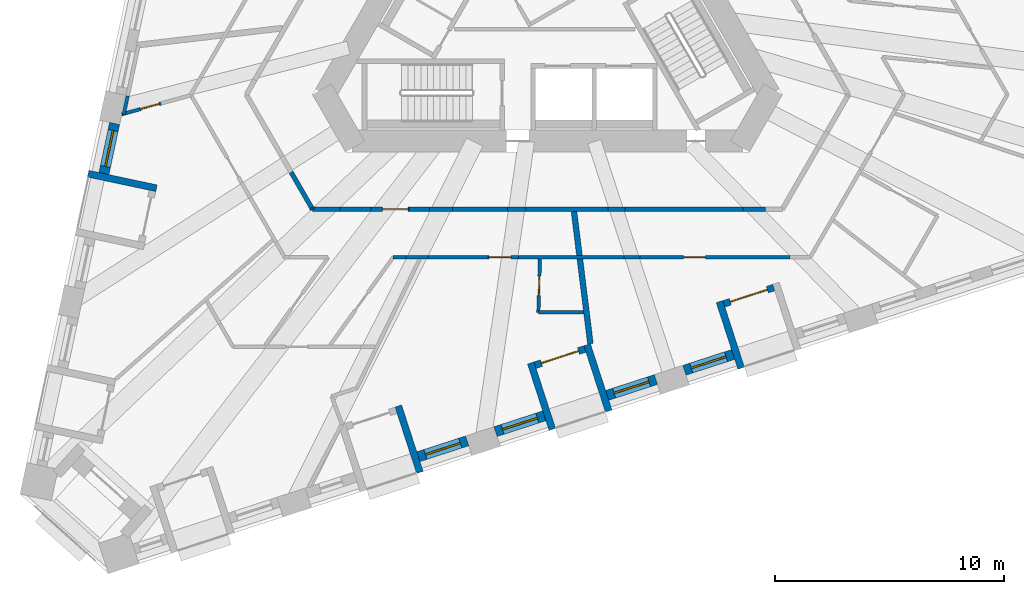
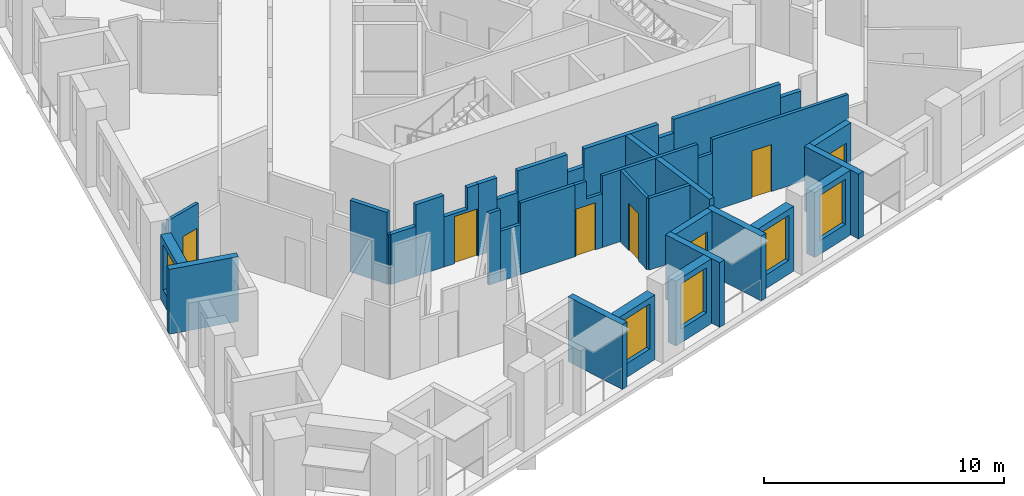
# One storey, part 3 of 13: 37 walls, 7 doors, 5 windows, 12 openings.
"""IFC4 building model written with IfcOpenShell, lengths in metres."""

import ifcopenshell
import ifcopenshell.guid

model = None  # the IFC model being written
_history = None  # IfcOwnerHistory: only IFC2X3 demands one
_inside = {}  # id of a spatial element -> (the spatial element, [elements in it])
_under = {}  # id of a project, library or spatial element -> (it, [spatial elements below it])
_declared = {}  # id of a project -> (the project, [libraries it declares])
_typed = {}  # id of a type object -> (the type object, [elements of that type])
_made_of = {}  # id of a material, layer set ... -> (it, [elements and type objects made of it])


def new_model(schema):
    """Start an empty IFC model of exactly this schema.

    Asked for "IFC4X3", IfcOpenShell would pick the latest addendum, in which some entities
    have other attributes; the version numbers below select the first issue.
    IFC2X3 requires an IfcOwnerHistory on every rooted entity: one is made here for all.
    """
    global model, _history
    if schema == "IFC4X3":
        model = ifcopenshell.file(schema_version=(4, 3, 0, 0))
    else:
        model = ifcopenshell.file(schema=schema)
    _inside.clear()
    _under.clear()
    _declared.clear()
    _typed.clear()
    _made_of.clear()
    _history = None
    if model.schema == "IFC2X3":
        org = make("IfcOrganization", Name="unknown")
        user = make(
            "IfcPersonAndOrganization",
            ThePerson=make("IfcPerson", FamilyName="unknown"),
            TheOrganization=org,
        )
        app = make(
            "IfcApplication",
            ApplicationDeveloper=org,
            Version="unknown",
            ApplicationFullName="unknown",
            ApplicationIdentifier="unknown",
        )
        _history = make(
            "IfcOwnerHistory",
            OwningUser=user,
            OwningApplication=app,
            ChangeAction="ADDED",
            CreationDate=0,
        )
    return model


def make(cls, **values):
    """One entity of the class cls with the attributes given. An attribute that is None is left unset."""
    return model.create_entity(
        cls, **{name: value for name, value in values.items() if value is not None}
    )


def rooted(cls, **values):
    """An entity with a GlobalId (a new one), such as an element, a storey or a relation."""
    return make(cls, GlobalId=ifcopenshell.guid.new(), OwnerHistory=_history, **values)


def si_unit(unit_type, name, prefix=None):
    """IfcSIUnit, for example si_unit("LENGTHUNIT", "METRE", prefix="MILLI")."""
    return make("IfcSIUnit", UnitType=unit_type, Prefix=prefix, Name=name)


def assignment(units):
    """IfcUnitAssignment: the units of a project."""
    return None if units is None else make("IfcUnitAssignment", Units=units)


def point(xyz):
    """IfcCartesianPoint."""
    return None if xyz is None else make("IfcCartesianPoint", Coordinates=xyz)


def direction(xyz):
    """IfcDirection."""
    return None if xyz is None else make("IfcDirection", DirectionRatios=xyz)


def frame(location, z_axis=None, x_axis=None):
    """IfcAxis2Placement3D, a coordinate frame: its origin and axes. An axis left out is left unset."""
    return make(
        "IfcAxis2Placement3D",
        Location=point(location),
        Axis=direction(z_axis),
        RefDirection=direction(x_axis),
    )


def frame_2d(location, x_axis=None):
    """IfcAxis2Placement2D, a coordinate frame in the plane: its origin and x axis."""
    return make(
        "IfcAxis2Placement2D", Location=point(location), RefDirection=direction(x_axis)
    )


def origin():
    """The frame at (0, 0, 0) with its axes left unset."""
    return frame((0.0, 0.0, 0.0))


def place(relative_to, where):
    """IfcLocalPlacement: puts the frame where relative to a parent placement (None: the world)."""
    return make(
        "IfcLocalPlacement", PlacementRelTo=relative_to, RelativePlacement=where
    )


def context(
    kind, dimensions, precision=None, world=None, true_north=None, identifier=None
):
    """IfcGeometricRepresentationContext, for example the 3D "Model" context."""
    return make(
        "IfcGeometricRepresentationContext",
        ContextIdentifier=identifier,
        ContextType=kind,
        CoordinateSpaceDimension=dimensions,
        Precision=precision,
        WorldCoordinateSystem=world,
        TrueNorth=true_north,
    )


def subcontext(parent, identifier, kind, view, scale=None):
    """IfcGeometricRepresentationSubContext, for example "Body" below "Model"."""
    return make(
        "IfcGeometricRepresentationSubContext",
        ContextIdentifier=identifier,
        ContextType=kind,
        ParentContext=parent,
        TargetScale=scale,
        TargetView=view,
    )


def project(units=None, contexts=None):
    """IfcProject with its units and contexts."""
    return rooted(
        "IfcProject",
        Name="project",
        RepresentationContexts=contexts,
        UnitsInContext=assignment(units),
    )


def spatial(cls, under=None, at=None, **own):
    """A site, building, storey or space (cls), placed at a placement, below another one or the project."""
    s = rooted(cls, ObjectPlacement=at, **own)
    if under is not None:
        _under.setdefault(under.id(), (under, []))[1].append(s)
    return s


def polyline(points):
    """IfcPolyline through the points."""
    return make("IfcPolyline", Points=[point(p) for p in points])


def profile(cls, at=None, kind="AREA", **sizes):
    """A parametric profile (cls). Its sizes go by their IFC names, for example OverallWidth=200.0."""
    return make(cls, ProfileType=kind, Position=at, **sizes)


def rectangle(**sizes):
    """IfcRectangleProfileDef."""
    return profile("IfcRectangleProfileDef", **sizes)


def outline(outer, holes=None, kind="AREA"):
    """IfcArbitraryClosedProfileDef: a profile drawn as a closed curve; with holes, ...WithVoids."""
    if holes is None:
        return make("IfcArbitraryClosedProfileDef", ProfileType=kind, OuterCurve=outer)
    return make(
        "IfcArbitraryProfileDefWithVoids",
        ProfileType=kind,
        OuterCurve=outer,
        InnerCurves=holes,
    )


def extrude(swept, where, along, depth):
    """IfcExtrudedAreaSolid: the profile swept, set in the frame where, extruded along a direction by depth."""
    return make(
        "IfcExtrudedAreaSolid",
        SweptArea=swept,
        Position=where,
        ExtrudedDirection=direction(along),
        Depth=depth,
    )


def shape(context_of_items, identifier, shape_type, items):
    """IfcShapeRepresentation: the items that make up one representation, for example the "Body"."""
    return make(
        "IfcShapeRepresentation",
        ContextOfItems=context_of_items,
        RepresentationIdentifier=identifier,
        RepresentationType=shape_type,
        Items=items,
    )


def material(Name=None, Category=None):
    """IfcMaterial."""
    return make("IfcMaterial", Name=Name, Category=Category)


def layer(
    of_material, thickness, ventilated=None, Name=None, Category=None, Priority=None
):
    """IfcMaterialLayer: one layer of a wall or slab, of a material (None: an air gap)."""
    return make(
        "IfcMaterialLayer",
        Material=of_material,
        LayerThickness=thickness,
        IsVentilated=ventilated,
        Name=Name,
        Category=Category,
        Priority=Priority,
    )


def layer_set(layers, Name=None):
    """IfcMaterialLayerSet."""
    return make("IfcMaterialLayerSet", MaterialLayers=layers, LayerSetName=Name)


def made_of(thing, what):
    """Note that an element or type object is made of a material, layer set ...; save() writes the relation."""
    if what is not None:
        _made_of.setdefault(what.id(), (what, []))[1].append(thing)
    return thing


def type_object(cls, material=None, **own):
    """A type object (cls), such as IfcWallType, which elements share."""
    return made_of(rooted(cls, **own), material)


def element(
    cls,
    number,
    at=None,
    inside=None,
    cuts=None,
    type_object=None,
    material=None,
    context=None,
    identifier="Body",
    shape_type=None,
    held_by="IfcProductDefinitionShape",
    body=None,
    shapes=None,
    **own,
):
    """One element of the class cls, such as IfcWall. Its Tag is "e" and its number.

    at: its placement. inside: the storey or other place that contains it. cuts: it is an
    opening in that element (IfcRelVoidsElement). A single representation is given by context,
    identifier, shape_type and body (its items); several are given by shapes. held_by: the class
    of the entity that holds the representations. save() writes the other relations.
    """
    e = rooted(cls, Tag="e%d" % number, ObjectPlacement=at, **own)
    if body is not None:
        shapes = [shape(context, identifier, shape_type, body)]
    if shapes is not None:
        e.Representation = make(held_by, Representations=shapes)
    if inside is not None:
        _inside.setdefault(inside.id(), (inside, []))[1].append(e)
    if cuts is not None:
        rooted(
            "IfcRelVoidsElement", RelatingBuildingElement=cuts, RelatedOpeningElement=e
        )
    if type_object is not None:
        _typed.setdefault(type_object.id(), (type_object, []))[1].append(e)
    return made_of(e, material)


def fill(opening, filler):
    """IfcRelFillsElement: the door or window that sits in an opening."""
    return rooted(
        "IfcRelFillsElement",
        RelatingOpeningElement=opening,
        RelatedBuildingElement=filler,
    )


def aggregate(whole, parts):
    """IfcRelAggregates: a whole, such as a stair, and the parts it consists of."""
    return rooted("IfcRelAggregates", RelatingObject=whole, RelatedObjects=parts)


def save(model, path):
    """Write the relations noted so far, then the file.

    IfcRelAggregates (storeys below a building ...), IfcRelContainedInSpatialStructure (elements
    in a storey), IfcRelDefinesByType, IfcRelAssociatesMaterial and IfcRelDeclares: one each for
    every whole, place, type object, material and project.
    """
    for whole, parts in _under.values():
        aggregate(whole, parts)
    for where, things in _inside.values():
        rooted(
            "IfcRelContainedInSpatialStructure",
            RelatedElements=things,
            RelatingStructure=where,
        )
    for kind, things in _typed.values():
        rooted("IfcRelDefinesByType", RelatedObjects=things, RelatingType=kind)
    for what, things in _made_of.values():
        rooted("IfcRelAssociatesMaterial", RelatedObjects=things, RelatingMaterial=what)
    for by, libraries in _declared.values():
        rooted("IfcRelDeclares", RelatingContext=by, RelatedDefinitions=libraries)
    model.write(path)


model = new_model("IFC4")

# Units and contexts
model_context = context("Model", 3, precision=1e-05, world=origin(), true_north=direction((0.0, 1.0)))
body_context = subcontext(model_context, "Body", "Model", "MODEL_VIEW")
ifc_project = project(units=[si_unit("LENGTHUNIT", "METRE"), si_unit("AREAUNIT", "SQUARE_METRE"), si_unit("VOLUMEUNIT", "CUBIC_METRE"), si_unit("PLANEANGLEUNIT", "RADIAN"), si_unit("MASSUNIT", "GRAM", prefix="KILO")], contexts=[model_context])

# Site, building, storey
site_placement = place(None, origin())
site = spatial("IfcSite", under=ifc_project, at=site_placement, CompositionType="ELEMENT")
building_placement = place(site_placement, origin())
building = spatial("IfcBuilding", under=site, at=building_placement, Name="Tramontana Tower", CompositionType="ELEMENT")
storey_placement = place(building_placement, frame((0.0, 0.0, 100.39990234375)))
storey = spatial("IfcBuildingStorey", under=building, at=storey_placement, Name="L22", CompositionType="ELEMENT", Elevation=100.39990234375)

# Walls
ifc_material_1 = material(Name="Blockwork", Category="masonry")
ifc_layer_1 = layer(ifc_material_1, 0.199951171875)
ifc_layer_set_1 = layer_set([ifc_layer_1], Name="ENTRY WALL 200")
wall_type_1 = type_object("IfcWallType", Name="ENTRY WALL 200", PredefinedType="SOLIDWALL", material=ifc_layer_set_1)
wall_1_placement = place(storey_placement, frame((9.50439453125, -9.25, 0.0), z_axis=(0.0, 0.0, 1.0), x_axis=(-1.0, 0.0, 0.0)))
element("IfcWall", 1, at=wall_1_placement, inside=storey, type_object=wall_type_1, Name="Wall v21-ew2-1", PredefinedType="SOLIDWALL", context=body_context, shape_type="SweptSolid", body=[
    extrude(rectangle(XDim=0.9775390625, YDim=0.199951171875, at=frame_2d((0.48876953125, 0.0))), origin(), (0.0, 0.0, 1.0), 2.9501953125),
])
wall_2_placement = place(storey_placement, frame((8.52685546875, -9.25, 0.0), z_axis=(0.0, 0.0, 1.0), x_axis=(-1.0, 0.0, 0.0)))
element("IfcWall", 2, at=wall_2_placement, inside=storey, type_object=wall_type_1, Name="Wall v21-ew2-2", PredefinedType="SOLIDWALL", context=body_context, shape_type="SweptSolid", body=[
    extrude(rectangle(XDim=5.1533203125, YDim=0.199951171875, at=frame_2d((2.57666015625, 0.0))), origin(), (0.0, 0.0, 1.0), 3.650146484375),
])
wall_3_placement = place(storey_placement, frame((3.37353515625, -9.25, 0.0), z_axis=(0.0, 0.0, 1.0), x_axis=(-1.0, 0.0, 0.0)))
element("IfcWall", 3, at=wall_3_placement, inside=storey, type_object=wall_type_1, Name="Wall v21-ew2-3", PredefinedType="SOLIDWALL", context=body_context, shape_type="SweptSolid", body=[
    extrude(rectangle(XDim=0.736083984375, YDim=0.199951171875, at=frame_2d((0.3681640625, 0.0))), origin(), (0.0, 0.0, 1.0), 2.9501953125),
])
wall_4_placement = place(storey_placement, frame((2.637451171875, -9.25, 0.0), z_axis=(0.0, 0.0, 1.0), x_axis=(-1.0, 0.0, 0.0)))
element("IfcWall", 4, at=wall_4_placement, inside=storey, type_object=wall_type_1, Name="Wall v21-ew2-4", PredefinedType="SOLIDWALL", context=body_context, shape_type="SweptSolid", body=[
    extrude(rectangle(XDim=3.576904296875, YDim=0.199951171875, at=frame_2d((1.78857421875, 0.0))), origin(), (0.0, 0.0, 1.0), 3.650146484375),
])
wall_5_placement = place(storey_placement, frame((-0.939453125, -9.25, 0.0), z_axis=(0.0, 0.0, 1.0), x_axis=(-1.0, 0.0, 0.0)))
element("IfcWall", 5, at=wall_5_placement, inside=storey, type_object=wall_type_1, Name="Wall v21-ew2-5", PredefinedType="SOLIDWALL", context=body_context, shape_type="SweptSolid", body=[
    extrude(rectangle(XDim=0.808349609375, YDim=0.199951171875, at=frame_2d((0.404296875, 0.0))), origin(), (0.0, 0.0, 1.0), 2.75),
])
wall_6_placement = place(storey_placement, frame((-1.747802734375, -9.25, 0.0), z_axis=(0.0, 0.0, 1.0), x_axis=(-1.0, 0.0, 0.0)))
element("IfcWall", 6, at=wall_6_placement, inside=storey, type_object=wall_type_1, Name="Wall v21-ew2-6", PredefinedType="SOLIDWALL", context=body_context, shape_type="SweptSolid", body=[
    extrude(rectangle(XDim=2.385498046875, YDim=0.199951171875, at=frame_2d((1.19287109375, 0.0))), origin(), (0.0, 0.0, 1.0), 3.650146484375),
])
wall_7_placement = place(storey_placement, frame((-4.13330078125, -9.25, 0.0), z_axis=(0.0, 0.0, 1.0), x_axis=(-1.0, 0.0, 0.0)))
element("IfcWall", 7, at=wall_7_placement, inside=storey, type_object=wall_type_1, Name="Wall v21-ew2-7", PredefinedType="SOLIDWALL", context=body_context, shape_type="SweptSolid", body=[
    extrude(rectangle(XDim=1.0068359375, YDim=0.199951171875, at=frame_2d((0.50341796875, 0.0))), origin(), (0.0, 0.0, 1.0), 2.550048828125),
])
wall_8_placement = place(storey_placement, frame((-5.14013671875, -9.25, 0.0), z_axis=(0.0, 0.0, 1.0), x_axis=(-1.0, 0.0, 0.0)))
element("IfcWall", 8, at=wall_8_placement, inside=storey, type_object=wall_type_1, Name="Wall v21-ew2-8", PredefinedType="SOLIDWALL", context=body_context, shape_type="SweptSolid", body=[
    extrude(rectangle(XDim=0.89990234375, YDim=0.199951171875, at=frame_2d((0.449951171875, 0.0))), origin(), (0.0, 0.0, 1.0), 3.650146484375),
])

# Wall, opening, door
wall_9_placement = place(storey_placement, frame((-7.695556640625, -9.25, 0.0), z_axis=(0.0, 0.0, 1.0), x_axis=(1.0, 0.0, 0.0)))
wall_9 = element("IfcWall", 9, at=wall_9_placement, inside=storey, type_object=wall_type_1, Name="Wall v21-ew2-9", PredefinedType="SOLIDWALL", context=body_context, shape_type="SweptSolid", body=[
    extrude(outline(polyline([(0.0, 0.0), (1.655517578125, 0.0), (1.655517578125, 3.650146484375), (1.13623046875, 3.650146484375), (1.13623046875, 2.550048828125), (0.0, 2.550048828125), (0.0, 0.0)])), frame((0.0, 0.10009765625, 0.0), z_axis=(0.0, -1.0, 0.0), x_axis=(1.0, 0.0, 0.0)), (0.0, 0.0, 1.0), 0.199951171875),
])
opening_1_placement = place(wall_9_placement, frame((0.50537109375, 0.0, 0.0)))
opening_1 = element("IfcOpeningElement", 10, at=opening_1_placement, cuts=wall_9, Name="Opening B2B-27", PredefinedType="OPENING", context=body_context, shape_type="SweptSolid", body=[
    extrude(rectangle(XDim=1.10009765625, YDim=2.39990234375, at=frame_2d((0.550048828125, 1.199951171875))), frame((0.0, 0.10986328125, 0.0), z_axis=(0.0, -1.0, 0.0), x_axis=(1.0, 0.0, 0.0)), (0.0, 0.0, 1.0), 0.219970703125),
])
ifc_material_2 = material(Name="Painted timber", Category="wood")
door_type_1 = type_object("IfcDoorType", Name="DOOR ENTRY 1100", OperationType="SINGLE_SWING_LEFT", PredefinedType="DOOR", material=ifc_material_2)
door_1_placement = place(opening_1_placement, origin())
door_1 = element("IfcDoor", 11, at=door_1_placement, inside=storey, type_object=door_type_1, Name="Door B2B-27", OperationType="SINGLE_SWING_LEFT", OverallHeight=2.39990234375, OverallWidth=1.10009765625, PredefinedType="DOOR", context=body_context, shape_type="SweptSolid", body=[
    extrude(rectangle(XDim=1.10009765625, YDim=2.39990234375, at=frame_2d((0.550048828125, 1.199951171875))), frame((0.0, 0.02490234375, 0.0), z_axis=(0.0, -1.0, 0.0), x_axis=(1.0, 0.0, 0.0)), (0.0, 0.0, 1.0), 0.050048828125),
])
fill(opening_1, door_1)

# Walls
wall_10_placement = place(storey_placement, frame((-7.695556640625, -9.25, 0.0), z_axis=(0.0, 0.0, 1.0), x_axis=(-1.0, 0.0, 0.0)))
element("IfcWall", 12, at=wall_10_placement, inside=storey, type_object=wall_type_1, Name="Wall v21-ew2-10", PredefinedType="SOLIDWALL", context=body_context, shape_type="SweptSolid", body=[
    extrude(rectangle(XDim=1.3603515625, YDim=0.199951171875, at=frame_2d((0.68017578125, 0.0))), origin(), (0.0, 0.0, 1.0), 3.650146484375),
])
wall_11_placement = place(storey_placement, frame((-9.055908203125, -9.25, 0.0), z_axis=(0.0, 0.0, 1.0), x_axis=(-1.0, 0.0, 0.0)))
element("IfcWall", 13, at=wall_11_placement, inside=storey, type_object=wall_type_1, Name="Wall v21-ew2-11", PredefinedType="SOLIDWALL", context=body_context, shape_type="SweptSolid", body=[
    extrude(rectangle(XDim=1.192138671875, YDim=0.199951171875, at=frame_2d((0.59619140625, 0.0))), origin(), (0.0, 0.0, 1.0), 2.550048828125),
])
wall_12_placement = place(storey_placement, frame((-10.248046875, -9.25, 0.0), z_axis=(0.0, 0.0, 1.0), x_axis=(-0.499103811596, 0.866542200502, 0.0)))
element("IfcWall", 14, at=wall_12_placement, inside=storey, type_object=wall_type_1, Name="Wall v21-ew3-0", PredefinedType="SOLIDWALL", context=body_context, shape_type="SweptSolid", body=[
    extrude(rectangle(XDim=0.079833984375, YDim=0.199951171875, at=frame_2d((0.0400390625, 0.0))), origin(), (0.0, 0.0, 1.0), 2.550048828125),
])
wall_13_placement = place(storey_placement, frame((-10.287841796875, -9.180908203125, 0.0), z_axis=(0.0, 0.0, 1.0), x_axis=(-0.499986405537, 0.866033252409, 0.0)))
element("IfcWall", 15, at=wall_13_placement, inside=storey, type_object=wall_type_1, Name="Wall v21-ew3-1", PredefinedType="SOLIDWALL", context=body_context, shape_type="SweptSolid", body=[
    extrude(rectangle(XDim=1.7880859375, YDim=0.199951171875, at=frame_2d((0.89404296875, 0.0))), origin(), (0.0, 0.0, 1.0), 3.650146484375),
])

# Wall, opening, window
ifc_material_3 = material(Name="Precast concrete 60 MPa", Category="concrete")
ifc_layer_2 = layer(ifc_material_3, 0.449951171875)
ifc_layer_set_2 = layer_set([ifc_layer_2], Name="Precast concrete 60 MPa, 450 mm")
wall_type_2 = type_object("IfcWallType", Name="EW1 Stone-faced precast wall 450", PredefinedType="SOLIDWALL", material=ifc_layer_set_2)
wall_14_placement = place(storey_placement, frame((-18.882080078125, -5.504638671875, 0.0), z_axis=(0.0, 0.0, 1.0), x_axis=(-0.207918801611, -0.978146089261, 0.0)))
wall_14 = element("IfcWall", 16, at=wall_14_placement, inside=storey, type_object=wall_type_2, Name="External wall L22 face 0 bay 5", PredefinedType="SOLIDWALL", context=body_context, shape_type="SweptSolid", body=[
    extrude(rectangle(XDim=2.23681640625, YDim=0.449951171875, at=frame_2d((1.118408203125, 0.0))), origin(), (0.0, 0.0, 1.0), 3.300048828125),
])
opening_2_placement = place(wall_14_placement, frame((0.318359375, 0.0, 0.699951171875)))
opening_2 = element("IfcOpeningElement", 17, at=opening_2_placement, cuts=wall_14, Name="Opening M1", PredefinedType="OPENING", context=body_context, shape_type="SweptSolid", body=[
    extrude(rectangle(XDim=1.60009765625, YDim=2.300048828125, at=frame_2d((0.800048828125, 1.14990234375))), frame((0.0, 0.23486328125, 0.0), z_axis=(0.0, -1.0, 0.0), x_axis=(1.0, 0.0, 0.0)), (0.0, 0.0, 1.0), 0.469970703125),
])
ifc_material_4 = material(Name="Aluminum frame, double glazing unit", Category="aluminium")
window_type = type_object("IfcWindowType", Name="M1 Window 1.6 x 2.3", PartitioningType="SINGLE_PANEL", PredefinedType="WINDOW", material=ifc_material_4)
window_1_placement = place(opening_2_placement, origin())
window_1 = element("IfcWindow", 18, at=window_1_placement, inside=storey, type_object=window_type, Name="Window M1 L22 face 0 module 13", OverallHeight=2.300048828125, OverallWidth=1.60009765625, PartitioningType="SINGLE_PANEL", PredefinedType="WINDOW", context=body_context, shape_type="SweptSolid", body=[
    extrude(rectangle(XDim=1.60009765625, YDim=2.300048828125, at=frame_2d((0.800048828125, 1.14990234375))), frame((0.0, 0.030029296875, 0.0), z_axis=(0.0, -1.0, 0.0), x_axis=(1.0, 0.0, 0.0)), (0.0, 0.0, 1.0), 0.06005859375),
])
fill(opening_2, window_1)

wall_15_placement = place(storey_placement, frame((-5.628173828125, -20.045166015625, 0.0), z_axis=(0.0, 0.0, 1.0), x_axis=(0.951057328329, 0.30901449518, 0.0)))
wall_15 = element("IfcWall", 19, at=wall_15_placement, inside=storey, type_object=wall_type_2, Name="External wall L22 face 1 bay 2", PredefinedType="SOLIDWALL", context=body_context, shape_type="SweptSolid", body=[
    extrude(rectangle(XDim=2.236572265625, YDim=0.449951171875, at=frame_2d((1.1181640625, 0.0))), origin(), (0.0, 0.0, 1.0), 3.300048828125),
])
opening_3_placement = place(wall_15_placement, frame((0.318359375, 0.0, 0.699951171875)))
opening_3 = element("IfcOpeningElement", 20, at=opening_3_placement, cuts=wall_15, Name="Opening M1", PredefinedType="OPENING", context=body_context, shape_type="SweptSolid", body=[
    extrude(rectangle(XDim=1.60009765625, YDim=2.300048828125, at=frame_2d((0.800048828125, 1.14990234375))), frame((0.0, 0.23486328125, 0.0), z_axis=(0.0, -1.0, 0.0), x_axis=(1.0, 0.0, 0.0)), (0.0, 0.0, 1.0), 0.469970703125),
])
window_2_placement = place(opening_3_placement, origin())
window_2 = element("IfcWindow", 21, at=window_2_placement, inside=storey, type_object=window_type, Name="Window M1 L22 face 1 module 6", OverallHeight=2.300048828125, OverallWidth=1.60009765625, PartitioningType="SINGLE_PANEL", PredefinedType="WINDOW", context=body_context, shape_type="SweptSolid", body=[
    extrude(rectangle(XDim=1.60009765625, YDim=2.300048828125, at=frame_2d((0.800048828125, 1.14990234375))), frame((0.0, 0.030029296875, 0.0), z_axis=(0.0, -1.0, 0.0), x_axis=(1.0, 0.0, 0.0)), (0.0, 0.0, 1.0), 0.06005859375),
])
fill(opening_3, window_2)

wall_16_placement = place(storey_placement, frame((-2.264404296875, -18.952392578125, 0.0), z_axis=(0.0, 0.0, 1.0), x_axis=(0.951057328329, 0.30901449518, 0.0)))
wall_16 = element("IfcWall", 22, at=wall_16_placement, inside=storey, type_object=wall_type_2, Name="External wall L22 face 1 bay 3", PredefinedType="SOLIDWALL", context=body_context, shape_type="SweptSolid", body=[
    extrude(rectangle(XDim=2.236572265625, YDim=0.449951171875, at=frame_2d((1.1181640625, 0.0))), origin(), (0.0, 0.0, 1.0), 3.300048828125),
])
opening_4_placement = place(wall_16_placement, frame((0.318359375, 0.0, 0.699951171875)))
opening_4 = element("IfcOpeningElement", 23, at=opening_4_placement, cuts=wall_16, Name="Opening M1", PredefinedType="OPENING", context=body_context, shape_type="SweptSolid", body=[
    extrude(rectangle(XDim=1.60009765625, YDim=2.300048828125, at=frame_2d((0.800048828125, 1.14990234375))), frame((0.0, 0.23486328125, 0.0), z_axis=(0.0, -1.0, 0.0), x_axis=(1.0, 0.0, 0.0)), (0.0, 0.0, 1.0), 0.469970703125),
])
window_3_placement = place(opening_4_placement, origin())
window_3 = element("IfcWindow", 24, at=window_3_placement, inside=storey, type_object=window_type, Name="Window M1 L22 face 1 module 7", OverallHeight=2.300048828125, OverallWidth=1.60009765625, PartitioningType="SINGLE_PANEL", PredefinedType="WINDOW", context=body_context, shape_type="SweptSolid", body=[
    extrude(rectangle(XDim=1.60009765625, YDim=2.300048828125, at=frame_2d((0.800048828125, 1.14990234375))), frame((0.0, 0.030029296875, 0.0), z_axis=(0.0, -1.0, 0.0), x_axis=(1.0, 0.0, 0.0)), (0.0, 0.0, 1.0), 0.06005859375),
])
fill(opening_4, window_3)

wall_17_placement = place(storey_placement, frame((2.608154296875, -17.369140625, 0.0), z_axis=(0.0, 0.0, 1.0), x_axis=(0.951067749801, 0.30898241906, 0.0)))
wall_17 = element("IfcWall", 25, at=wall_17_placement, inside=storey, type_object=wall_type_2, Name="External wall L22 face 1 bay 3", PredefinedType="SOLIDWALL", context=body_context, shape_type="SweptSolid", body=[
    extrude(rectangle(XDim=2.23681640625, YDim=0.449951171875, at=frame_2d((1.118408203125, 0.0))), origin(), (0.0, 0.0, 1.0), 3.300048828125),
])
opening_5_placement = place(wall_17_placement, frame((0.318359375, 0.0, 0.699951171875)))
opening_5 = element("IfcOpeningElement", 26, at=opening_5_placement, cuts=wall_17, Name="Opening M1", PredefinedType="OPENING", context=body_context, shape_type="SweptSolid", body=[
    extrude(rectangle(XDim=1.60009765625, YDim=2.300048828125, at=frame_2d((0.800048828125, 1.14990234375))), frame((0.0, 0.23486328125, 0.0), z_axis=(0.0, -1.0, 0.0), x_axis=(1.0, 0.0, 0.0)), (0.0, 0.0, 1.0), 0.469970703125),
])
window_4_placement = place(opening_5_placement, origin())
window_4 = element("IfcWindow", 27, at=window_4_placement, inside=storey, type_object=window_type, Name="Window M1 L22 face 1 module 9", OverallHeight=2.300048828125, OverallWidth=1.60009765625, PartitioningType="SINGLE_PANEL", PredefinedType="WINDOW", context=body_context, shape_type="SweptSolid", body=[
    extrude(rectangle(XDim=1.60009765625, YDim=2.300048828125, at=frame_2d((0.800048828125, 1.14990234375))), frame((0.0, 0.030029296875, 0.0), z_axis=(0.0, -1.0, 0.0), x_axis=(1.0, 0.0, 0.0)), (0.0, 0.0, 1.0), 0.06005859375),
])
fill(opening_5, window_4)

wall_18_placement = place(storey_placement, frame((5.971923828125, -16.276123046875, 0.0), z_axis=(0.0, 0.0, 1.0), x_axis=(0.951057328329, 0.30901449518, 0.0)))
wall_18 = element("IfcWall", 28, at=wall_18_placement, inside=storey, type_object=wall_type_2, Name="External wall L22 face 1 bay 4", PredefinedType="SOLIDWALL", context=body_context, shape_type="SweptSolid", body=[
    extrude(rectangle(XDim=2.236572265625, YDim=0.449951171875, at=frame_2d((1.1181640625, 0.0))), origin(), (0.0, 0.0, 1.0), 3.300048828125),
])
opening_6_placement = place(wall_18_placement, frame((0.318359375, 0.0, 0.699951171875)))
opening_6 = element("IfcOpeningElement", 29, at=opening_6_placement, cuts=wall_18, Name="Opening M1", PredefinedType="OPENING", context=body_context, shape_type="SweptSolid", body=[
    extrude(rectangle(XDim=1.60009765625, YDim=2.300048828125, at=frame_2d((0.800048828125, 1.14990234375))), frame((0.0, 0.23486328125, 0.0), z_axis=(0.0, -1.0, 0.0), x_axis=(1.0, 0.0, 0.0)), (0.0, 0.0, 1.0), 0.469970703125),
])
window_5_placement = place(opening_6_placement, origin())
window_5 = element("IfcWindow", 30, at=window_5_placement, inside=storey, type_object=window_type, Name="Window M1 L22 face 1 module 10", OverallHeight=2.300048828125, OverallWidth=1.60009765625, PartitioningType="SINGLE_PANEL", PredefinedType="WINDOW", context=body_context, shape_type="SweptSolid", body=[
    extrude(rectangle(XDim=1.60009765625, YDim=2.300048828125, at=frame_2d((0.800048828125, 1.14990234375))), frame((0.0, 0.030029296875, 0.0), z_axis=(0.0, -1.0, 0.0), x_axis=(1.0, 0.0, 0.0)), (0.0, 0.0, 1.0), 0.06005859375),
])
fill(opening_6, window_5)

# Walls
ifc_material_5 = material(Name="Precast concrete 60 MPa", Category="concrete")
ifc_layer_3 = layer(ifc_material_5, 0.300048828125)
ifc_layer_set_3 = layer_set([ifc_layer_3], Name="LW1 Stone-faced loggia wall 300")
wall_type_3 = type_object("IfcWallType", Name="LW1 Stone-faced loggia wall 300", PredefinedType="SOLIDWALL", material=ifc_layer_set_3)
for number, where, z_axis, x_axis, name in (
    (31, (-20.03857421875, -7.698974609375, 0.0), (0.0, 0.0, 1.0), (0.978154782045, -0.207877902534, 0.0), "Loggia return L22 G2S0.13a"),
    (32, (-5.562255859375, -20.733642578125, 0.0), (0.0, 0.0, 1.0), (-0.308966615996, 0.951072883748, 0.0), "Loggia return L22 G2S1.4b"),
):
    element("IfcWall", number, at=place(storey_placement, frame(where, z_axis=z_axis, x_axis=x_axis)), inside=storey, type_object=wall_type_3, Name=name, PredefinedType="SOLIDWALL", context=body_context, shape_type="SweptSolid", body=[
        extrude(rectangle(XDim=3.050048828125, YDim=0.300048828125, at=frame_2d((1.52490234375, 0.0))), origin(), (0.0, 0.0, 1.0), 3.300048828125),
    ])

# Wall, opening, door
wall_19_placement = place(storey_placement, frame((-0.53955078125, -16.05224609375, 0.0), z_axis=(0.0, 0.0, 1.0), x_axis=(0.951078776318, 0.308948476671, 0.0)))
wall_19 = element("IfcWall", 33, at=wall_19_placement, inside=storey, type_object=wall_type_3, Name="Loggia wall L22 G2S1.7", PredefinedType="SOLIDWALL", context=body_context, shape_type="SweptSolid", body=[
    extrude(rectangle(XDim=2.286865234375, YDim=0.300048828125, at=frame_2d((1.1435546875, 0.0))), origin(), (0.0, 0.0, 1.0), 3.300048828125),
])
opening_7_placement = place(wall_19_placement, frame((0.29345703125, 0.0, 0.0)))
opening_7 = element("IfcOpeningElement", 34, at=opening_7_placement, cuts=wall_19, Name="Opening BD-2S1-07", PredefinedType="OPENING", context=body_context, shape_type="SweptSolid", body=[
    extrude(rectangle(XDim=1.699951171875, YDim=2.39990234375, at=frame_2d((0.85009765625, 1.199951171875))), frame((0.0, 0.159912109375, 0.0), z_axis=(0.0, -1.0, 0.0), x_axis=(1.0, 0.0, 0.0)), (0.0, 0.0, 1.0), 0.320068359375),
])
ifc_material_6 = material(Name="Aluminum frame, double glazing unit", Category="aluminium")
door_type_2 = type_object("IfcDoorType", Name="BD1 Sliding door 1.7 x 2.4", OperationType="SLIDING_TO_LEFT", PredefinedType="DOOR", material=ifc_material_6)
door_2_placement = place(opening_7_placement, origin())
door_2 = element("IfcDoor", 35, at=door_2_placement, inside=storey, type_object=door_type_2, Name="Loggia door L22 G2S1.7", OperationType="SLIDING_TO_LEFT", OverallHeight=2.39990234375, OverallWidth=1.699951171875, PredefinedType="DOOR", context=body_context, shape_type="SweptSolid", body=[
    extrude(rectangle(XDim=1.699951171875, YDim=2.39990234375, at=frame_2d((0.85009765625, 1.199951171875))), frame((0.0, 0.02490234375, 0.0), z_axis=(0.0, -1.0, 0.0), x_axis=(1.0, 0.0, 0.0)), (0.0, 0.0, 1.0), 0.050048828125),
])
fill(opening_7, door_2)

# Walls
wall_20_placement = place(storey_placement, frame((0.214111328125, -18.856689453125, 0.0), z_axis=(0.0, 0.0, 1.0), x_axis=(-0.309062542235, 0.951041715693, 0.0)))
element("IfcWall", 36, at=wall_20_placement, inside=storey, type_object=wall_type_3, Name="Loggia return L22 G2S1.7a", PredefinedType="SOLIDWALL", context=body_context, shape_type="SweptSolid", body=[
    extrude(rectangle(XDim=3.050048828125, YDim=0.300048828125, at=frame_2d((1.52490234375, 0.0))), origin(), (0.0, 0.0, 1.0), 3.300048828125),
])
wall_21_placement = place(storey_placement, frame((2.674072265625, -18.057373046875, 0.0), z_axis=(0.0, 0.0, 1.0), x_axis=(-0.308990138358, 0.951065241925, 0.0)))
element("IfcWall", 37, at=wall_21_placement, inside=storey, type_object=wall_type_3, Name="Loggia return L22 G2S1.7b", PredefinedType="SOLIDWALL", context=body_context, shape_type="SweptSolid", body=[
    extrude(rectangle(XDim=3.0498046875, YDim=0.300048828125, at=frame_2d((1.52490234375, 0.0))), origin(), (0.0, 0.0, 1.0), 3.300048828125),
])

# Wall, opening, door
wall_22_placement = place(storey_placement, frame((7.697021484375, -13.376220703125, 0.0), z_axis=(0.0, 0.0, 1.0), x_axis=(0.95103720697, 0.309076416051, 0.0)))
wall_22 = element("IfcWall", 38, at=wall_22_placement, inside=storey, type_object=wall_type_3, Name="Loggia wall L22 G2S1.10", PredefinedType="SOLIDWALL", context=body_context, shape_type="SweptSolid", body=[
    extrude(rectangle(XDim=2.286865234375, YDim=0.300048828125, at=frame_2d((1.1435546875, 0.0))), origin(), (0.0, 0.0, 1.0), 3.300048828125),
])
opening_8_placement = place(wall_22_placement, frame((0.29345703125, 0.0, 0.0)))
opening_8 = element("IfcOpeningElement", 39, at=opening_8_placement, cuts=wall_22, Name="Opening BD-2S1-10", PredefinedType="OPENING", context=body_context, shape_type="SweptSolid", body=[
    extrude(rectangle(XDim=1.699951171875, YDim=2.39990234375, at=frame_2d((0.85009765625, 1.199951171875))), frame((0.0, 0.159912109375, 0.0), z_axis=(0.0, -1.0, 0.0), x_axis=(1.0, 0.0, 0.0)), (0.0, 0.0, 1.0), 0.320068359375),
])
door_3_placement = place(opening_8_placement, origin())
door_3 = element("IfcDoor", 40, at=door_3_placement, inside=storey, type_object=door_type_2, Name="Loggia door L22 G2S1.10", OperationType="SLIDING_TO_LEFT", OverallHeight=2.39990234375, OverallWidth=1.699951171875, PredefinedType="DOOR", context=body_context, shape_type="SweptSolid", body=[
    extrude(rectangle(XDim=1.699951171875, YDim=2.39990234375, at=frame_2d((0.85009765625, 1.199951171875))), frame((0.0, 0.02490234375, 0.0), z_axis=(0.0, -1.0, 0.0), x_axis=(1.0, 0.0, 0.0)), (0.0, 0.0, 1.0), 0.050048828125),
])
fill(opening_8, door_3)

# Walls
wall_23_placement = place(storey_placement, frame((8.450439453125, -16.1806640625, 0.0), z_axis=(0.0, 0.0, 1.0), x_axis=(-0.309039015525, 0.951049360908, 0.0)))
element("IfcWall", 41, at=wall_23_placement, inside=storey, type_object=wall_type_3, Name="Loggia return L22 G2S1.10a", PredefinedType="SOLIDWALL", context=body_context, shape_type="SweptSolid", body=[
    extrude(rectangle(XDim=3.05029296875, YDim=0.300048828125, at=frame_2d((1.525146484375, 0.0))), origin(), (0.0, 0.0, 1.0), 3.300048828125),
])
ifc_material_7 = material(Name="Gypsum board partition")
ifc_layer_4 = layer(ifc_material_7, 0.14990234375)
ifc_layer_set_4 = layer_set([ifc_layer_4], Name="PARTITION 150")
wall_type_4 = type_object("IfcWallType", Name="PARTITION 150", PredefinedType="PARTITIONING", material=ifc_layer_set_4)
wall_24_placement = place(storey_placement, frame((-18.483642578125, -5.12158203125, 0.0), z_axis=(0.0, 0.0, 1.0), x_axis=(0.207886810037, 0.978152888976, 0.0)))
element("IfcWall", 42, at=wall_24_placement, inside=storey, type_object=wall_type_4, Name="Wall v21-pw01-0", PredefinedType="PARTITIONING", context=body_context, shape_type="SweptSolid", body=[
    extrude(rectangle(XDim=0.832763671875, YDim=0.14990234375, at=frame_2d((0.41650390625, 0.0))), origin(), (0.0, 0.0, 1.0), 2.9501953125),
])

# Wall, opening, door
wall_25_placement = place(storey_placement, frame((-18.56689453125, -5.10400390625, 0.0), z_axis=(0.0, 0.0, 1.0), x_axis=(0.964230082974, 0.265066684229, 0.0)))
wall_25 = element("IfcWall", 43, at=wall_25_placement, inside=storey, type_object=wall_type_4, Name="Wall v21-pw03-1", PredefinedType="PARTITIONING", context=body_context, shape_type="SweptSolid", body=[
    extrude(rectangle(XDim=1.769287109375, YDim=0.14990234375, at=frame_2d((0.884765625, 0.0))), origin(), (0.0, 0.0, 1.0), 3.650146484375),
])
opening_9_placement = place(wall_25_placement, frame((0.841552734375, 0.0, 0.0)))
opening_9 = element("IfcOpeningElement", 44, at=opening_9_placement, cuts=wall_25, Name="Opening B2B-15", PredefinedType="OPENING", context=body_context, shape_type="SweptSolid", body=[
    extrude(rectangle(XDim=0.85009765625, YDim=2.39990234375, at=frame_2d((0.425048828125, 1.199951171875))), frame((0.0, 0.0849609375, 0.0), z_axis=(0.0, -1.0, 0.0), x_axis=(1.0, 0.0, 0.0)), (0.0, 0.0, 1.0), 0.169921875),
])
ifc_material_8 = material(Name="Painted timber", Category="wood")
door_type_3 = type_object("IfcDoorType", Name="DOOR BATH 850", OperationType="SINGLE_SWING_LEFT", PredefinedType="DOOR", material=ifc_material_8)
door_4_placement = place(opening_9_placement, origin())
door_4 = element("IfcDoor", 45, at=door_4_placement, inside=storey, type_object=door_type_3, Name="Door B2B-15", OperationType="SINGLE_SWING_LEFT", OverallHeight=2.39990234375, OverallWidth=0.85009765625, PredefinedType="DOOR", context=body_context, shape_type="SweptSolid", body=[
    extrude(rectangle(XDim=0.85009765625, YDim=2.39990234375, at=frame_2d((0.425048828125, 1.199951171875))), frame((0.0, 0.02490234375, 0.0), z_axis=(0.0, -1.0, 0.0), x_axis=(1.0, 0.0, 0.0)), (0.0, 0.0, 1.0), 0.050048828125),
])
fill(opening_9, door_4)

wall_26_placement = place(storey_placement, frame((-0.32763671875, -11.425048828125, 0.0), z_axis=(0.0, 0.0, 1.0), x_axis=(-0.028760543361, -0.999586330011, 0.0)))
wall_26 = element("IfcWall", 46, at=wall_26_placement, inside=storey, type_object=wall_type_4, Name="Wall v21-pw32", PredefinedType="PARTITIONING", context=body_context, shape_type="SweptSolid", body=[
    extrude(rectangle(XDim=2.325927734375, YDim=0.14990234375, at=frame_2d((1.1630859375, 0.0))), origin(), (0.0, 0.0, 1.0), 3.650146484375),
])
opening_10_placement = place(wall_26_placement, frame((0.738037109375, 0.0, 0.0)))
opening_10 = element("IfcOpeningElement", 47, at=opening_10_placement, cuts=wall_26, Name="Opening B2B-16", PredefinedType="OPENING", context=body_context, shape_type="SweptSolid", body=[
    extrude(rectangle(XDim=0.85009765625, YDim=2.39990234375, at=frame_2d((0.425048828125, 1.199951171875))), frame((0.0, 0.0849609375, 0.0), z_axis=(0.0, -1.0, 0.0), x_axis=(1.0, 0.0, 0.0)), (0.0, 0.0, 1.0), 0.169921875),
])
door_5_placement = place(opening_10_placement, origin())
door_5 = element("IfcDoor", 48, at=door_5_placement, inside=storey, type_object=door_type_3, Name="Door B2B-16", OperationType="SINGLE_SWING_RIGHT", OverallHeight=2.39990234375, OverallWidth=0.85009765625, PredefinedType="DOOR", context=body_context, shape_type="SweptSolid", body=[
    extrude(rectangle(XDim=0.85009765625, YDim=2.39990234375, at=frame_2d((0.425048828125, 1.199951171875))), frame((0.0, 0.02490234375, 0.0), z_axis=(0.0, -1.0, 0.0), x_axis=(1.0, 0.0, 0.0)), (0.0, 0.0, 1.0), 0.050048828125),
])
fill(opening_10, door_5)

# Wall
wall_27_placement = place(storey_placement, frame((1.57958984375, -13.75, 0.0), z_axis=(0.0, 0.0, 1.0), x_axis=(-1.0, 0.0, 0.0)))
element("IfcWall", 49, at=wall_27_placement, inside=storey, type_object=wall_type_4, Name="Wall v21-pw34", PredefinedType="PARTITIONING", context=body_context, shape_type="SweptSolid", body=[
    extrude(rectangle(XDim=1.97412109375, YDim=0.14990234375, at=frame_2d((0.987060546875, 0.0))), origin(), (0.0, 0.0, 1.0), 3.650146484375),
])

# Wall, opening, door
wall_28_placement = place(storey_placement, frame((10.591064453125, -11.35009765625, 0.0), z_axis=(0.0, 0.0, 1.0), x_axis=(-1.0, 0.0, 0.0)))
wall_28 = element("IfcWall", 50, at=wall_28_placement, inside=storey, type_object=wall_type_4, Name="Wall v21-pw44-1", PredefinedType="PARTITIONING", context=body_context, shape_type="SweptSolid", body=[
    extrude(rectangle(XDim=6.54833984375, YDim=0.14990234375, at=frame_2d((3.274169921875, 0.0))), origin(), (0.0, 0.0, 1.0), 3.650146484375),
])
opening_11_placement = place(wall_28_placement, frame((3.7021484375, 0.0, 0.0)))
opening_11 = element("IfcOpeningElement", 51, at=opening_11_placement, cuts=wall_28, Name="Opening B2B-21", PredefinedType="OPENING", context=body_context, shape_type="SweptSolid", body=[
    extrude(rectangle(XDim=0.949951171875, YDim=2.39990234375, at=frame_2d((0.47509765625, 1.199951171875))), frame((0.0, 0.0849609375, 0.0), z_axis=(0.0, -1.0, 0.0), x_axis=(1.0, 0.0, 0.0)), (0.0, 0.0, 1.0), 0.169921875),
])
ifc_material_9 = material(Name="Painted timber", Category="wood")
door_type_4 = type_object("IfcDoorType", Name="DOOR ROOM 950", OperationType="SINGLE_SWING_LEFT", PredefinedType="DOOR", material=ifc_material_9)
door_6_placement = place(opening_11_placement, origin())
door_6 = element("IfcDoor", 52, at=door_6_placement, inside=storey, type_object=door_type_4, Name="Door B2B-21", OperationType="SINGLE_SWING_LEFT", OverallHeight=2.39990234375, OverallWidth=0.949951171875, PredefinedType="DOOR", context=body_context, shape_type="SweptSolid", body=[
    extrude(rectangle(XDim=0.949951171875, YDim=2.39990234375, at=frame_2d((0.47509765625, 1.199951171875))), frame((0.0, 0.02490234375, 0.0), z_axis=(0.0, -1.0, 0.0), x_axis=(1.0, 0.0, 0.0)), (0.0, 0.0, 1.0), 0.050048828125),
])
fill(opening_11, door_6)

# Walls
wall_29_placement = place(storey_placement, frame((4.042724609375, -11.35009765625, 0.0), z_axis=(0.0, 0.0, 1.0), x_axis=(-1.0, 0.0, 0.0)))
element("IfcWall", 53, at=wall_29_placement, inside=storey, type_object=wall_type_4, Name="Wall v21-pw44-2", PredefinedType="PARTITIONING", context=body_context, shape_type="SweptSolid", body=[
    extrude(rectangle(XDim=0.709716796875, YDim=0.14990234375, at=frame_2d((0.35498046875, 0.0))), origin(), (0.0, 0.0, 1.0), 2.9501953125),
])
wall_30_placement = place(storey_placement, frame((3.3330078125, -11.35009765625, 0.0), z_axis=(0.0, 0.0, 1.0), x_axis=(-1.0, 0.0, 0.0)))
element("IfcWall", 54, at=wall_30_placement, inside=storey, type_object=wall_type_4, Name="Wall v21-pw44-3", PredefinedType="PARTITIONING", context=body_context, shape_type="SweptSolid", body=[
    extrude(rectangle(XDim=4.590087890625, YDim=0.14990234375, at=frame_2d((2.294921875, 0.0))), origin(), (0.0, 0.0, 1.0), 3.650146484375),
])

# Wall, opening, door
wall_31_placement = place(storey_placement, frame((-1.257080078125, -11.35009765625, 0.0), z_axis=(0.0, 0.0, 1.0), x_axis=(-1.0, 0.0, 0.0)))
wall_31 = element("IfcWall", 55, at=wall_31_placement, inside=storey, type_object=wall_type_4, Name="Wall v21-pw44-4", PredefinedType="PARTITIONING", context=body_context, shape_type="SweptSolid", body=[
    extrude(outline(polyline([(0.0, 0.0), (1.332763671875, 0.0), (1.332763671875, 3.650146484375), (0.783203125, 3.650146484375), (0.783203125, 2.75), (0.0, 2.75), (0.0, 0.0)])), frame((0.0, 0.074951171875, 0.0), z_axis=(0.0, -1.0, 0.0), x_axis=(1.0, 0.0, 0.0)), (0.0, 0.0, 1.0), 0.14990234375),
])
opening_12_placement = place(wall_31_placement, frame((0.332763671875, 0.0, 0.0)))
opening_12 = element("IfcOpeningElement", 56, at=opening_12_placement, cuts=wall_31, Name="Opening B2B-14", PredefinedType="OPENING", context=body_context, shape_type="SweptSolid", body=[
    extrude(rectangle(XDim=0.949951171875, YDim=2.39990234375, at=frame_2d((0.47509765625, 1.199951171875))), frame((0.0, 0.0849609375, 0.0), z_axis=(0.0, -1.0, 0.0), x_axis=(1.0, 0.0, 0.0)), (0.0, 0.0, 1.0), 0.169921875),
])
door_7_placement = place(opening_12_placement, origin())
door_7 = element("IfcDoor", 57, at=door_7_placement, inside=storey, type_object=door_type_4, Name="Door B2B-14", OperationType="SINGLE_SWING_RIGHT", OverallHeight=2.39990234375, OverallWidth=0.949951171875, PredefinedType="DOOR", context=body_context, shape_type="SweptSolid", body=[
    extrude(rectangle(XDim=0.949951171875, YDim=2.39990234375, at=frame_2d((0.47509765625, 1.199951171875))), frame((0.0, 0.02490234375, 0.0), z_axis=(0.0, -1.0, 0.0), x_axis=(1.0, 0.0, 0.0)), (0.0, 0.0, 1.0), 0.050048828125),
])
fill(opening_12, door_7)

# Walls
wall_32_placement = place(storey_placement, frame((-2.58984375, -11.35009765625, 0.0), z_axis=(0.0, 0.0, 1.0), x_axis=(-1.0, 0.0, 0.0)))
element("IfcWall", 58, at=wall_32_placement, inside=storey, type_object=wall_type_4, Name="Wall v21-pw44-5", PredefinedType="PARTITIONING", context=body_context, shape_type="SweptSolid", body=[
    extrude(rectangle(XDim=2.610107421875, YDim=0.14990234375, at=frame_2d((1.30517578125, 0.0))), origin(), (0.0, 0.0, 1.0), 3.650146484375),
])
wall_33_placement = place(storey_placement, frame((-5.199951171875, -11.35009765625, 0.0), z_axis=(0.0, 0.0, 1.0), x_axis=(-1.0, 0.0, 0.0)))
element("IfcWall", 59, at=wall_33_placement, inside=storey, type_object=wall_type_4, Name="Wall v21-pw44-6", PredefinedType="PARTITIONING", context=body_context, shape_type="SweptSolid", body=[
    extrude(rectangle(XDim=0.978759765625, YDim=0.14990234375, at=frame_2d((0.4892578125, 0.0))), origin(), (0.0, 0.0, 1.0), 2.550048828125),
])
wall_34_placement = place(storey_placement, frame((-6.1787109375, -11.35009765625, 0.0), z_axis=(0.0, 0.0, 1.0), x_axis=(-1.0, 0.0, 0.0)))
element("IfcWall", 60, at=wall_34_placement, inside=storey, type_object=wall_type_4, Name="Wall v21-pw44-7", PredefinedType="PARTITIONING", context=body_context, shape_type="SweptSolid", body=[
    extrude(rectangle(XDim=0.55322265625, YDim=0.14990234375, at=frame_2d((0.276611328125, 0.0))), origin(), (0.0, 0.0, 1.0), 3.650146484375),
])
ifc_material_10 = material(Name="Blockwork", Category="masonry")
ifc_layer_5 = layer(ifc_material_10, 0.25)
ifc_layer_set_5 = layer_set([ifc_layer_5], Name="PARTY WALL 250")
wall_type_5 = type_object("IfcWallType", Name="PARTY WALL 250", PredefinedType="SOLIDWALL", material=ifc_layer_set_5)
wall_35_placement = place(storey_placement, frame((1.159912109375, -9.35009765625, 0.0), z_axis=(0.0, 0.0, 1.0), x_axis=(0.123071792615, -0.992397769981, 0.0)))
element("IfcWall", 61, at=wall_35_placement, inside=storey, type_object=wall_type_5, Name="Wall v21-pw33", PredefinedType="SOLIDWALL", context=body_context, shape_type="SweptSolid", body=[
    extrude(rectangle(XDim=5.804443359375, YDim=0.25, at=frame_2d((2.90234375, 0.0))), origin(), (0.0, 0.0, 1.0), 3.650146484375),
])

save(model, "model.ifc")
